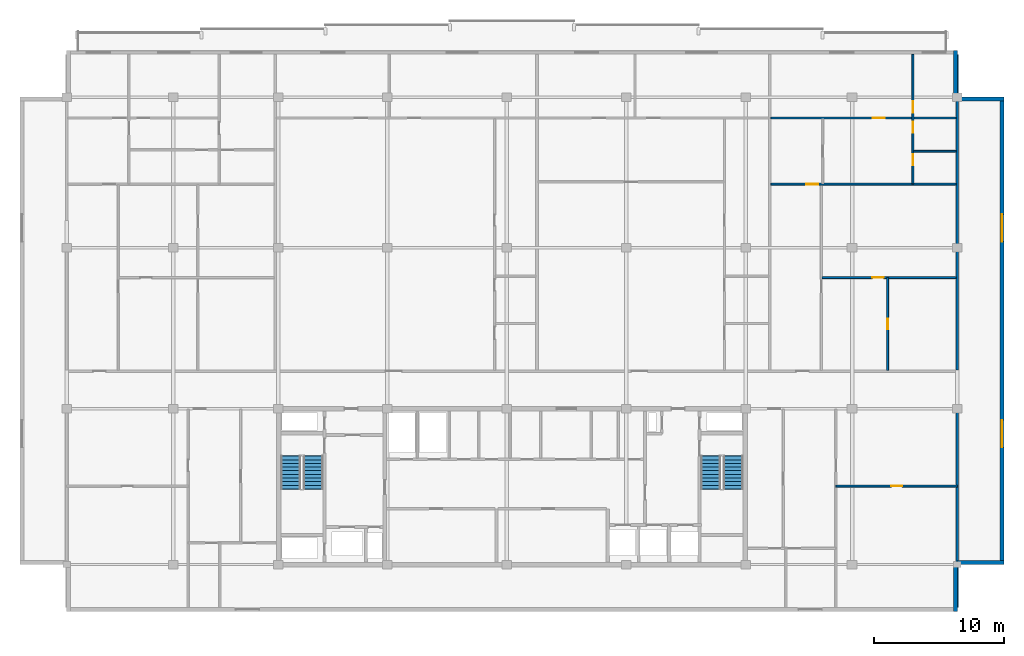
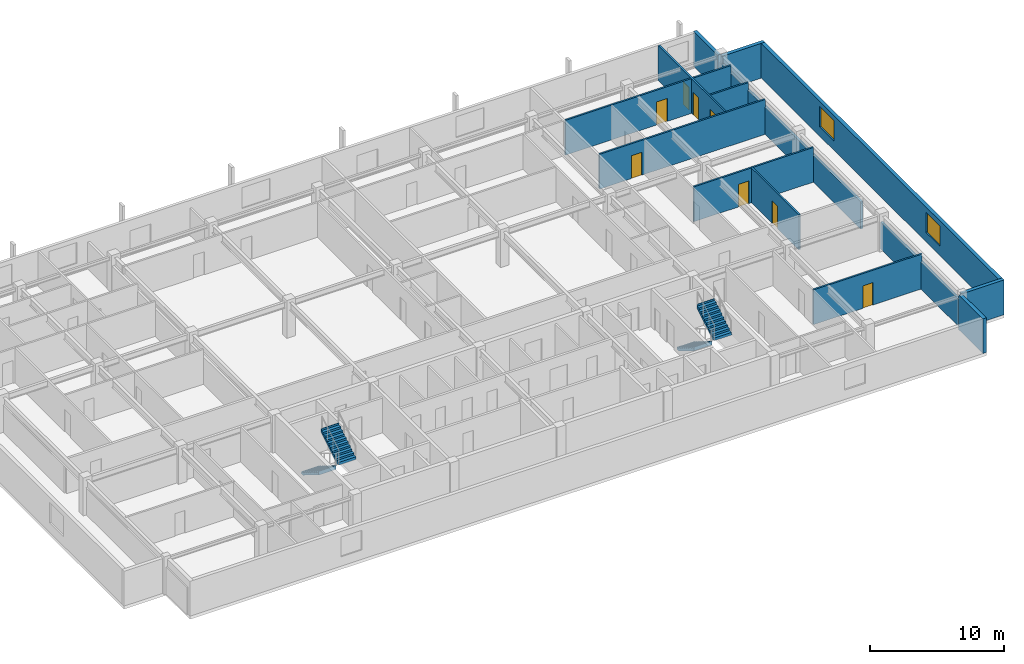
# One storey, part 8 of 10: 14 walls, 8 doors, 4 stair flights, 2 windows, 10 openings, 2 elements without a shape of their own.
"""IFC4 building model written with IfcOpenShell, lengths in metres."""

from ifc_helpers import new_model, si_unit, direction, frame, frame_2d, origin, place, context, subcontext, project, spatial, polyline, rectangle, outline, extrude, material, layer, layer_set, type_object, element, fill, aggregate, save


model = new_model("IFC4")

# Units and contexts
model_context = context("Model", 3, precision=1e-05, world=origin(), true_north=direction((0.0, 1.0)))
body_context = subcontext(model_context, "Body", "Model", "MODEL_VIEW")
ifc_project = project(units=[si_unit("LENGTHUNIT", "METRE"), si_unit("AREAUNIT", "SQUARE_METRE"), si_unit("VOLUMEUNIT", "CUBIC_METRE"), si_unit("PLANEANGLEUNIT", "RADIAN"), si_unit("MASSUNIT", "GRAM", prefix="KILO")], contexts=[model_context])

# Site, building, storey
site_placement = place(None, origin())
site = spatial("IfcSite", under=ifc_project, at=site_placement, CompositionType="ELEMENT")
building_placement = place(site_placement, origin())
building = spatial("IfcBuilding", under=site, at=building_placement, Name="Korimba Cascade Residences", CompositionType="ELEMENT")
storey_placement = place(building_placement, frame((0.0, 0.0, 242.449951171875)))
storey = spatial("IfcBuildingStorey", under=building, at=storey_placement, Name="L70", CompositionType="ELEMENT", Elevation=242.449951171875)

# Walls
ifc_material_1 = material(Name="Precast concrete C40/50", Category="concrete")
ifc_layer_1 = layer(ifc_material_1, 0.300048828125)
ifc_layer_set_1 = layer_set([ifc_layer_1], Name="Precast concrete C40/50")
wall_type_1 = type_object("IfcWallType", Name="EW-STONE-300", PredefinedType="STANDARD", material=ifc_layer_set_1)
wall_1_placement = place(storey_placement, frame((128.25, 51.60009765625, 0.0), z_axis=(0.0, 0.0, 1.0), x_axis=(0.0, 1.0, 0.0)))
element("IfcWall", 1, at=wall_1_placement, inside=storey, type_object=wall_type_1, Name="L70 T1 Perimeter Stone Wall E01", PredefinedType="STANDARD", context=body_context, shape_type="SweptSolid", body=[
    extrude(rectangle(XDim=3.599853515625, YDim=0.300048828125, at=frame_2d((1.7998046875, 0.0))), origin(), (0.0, 0.0, 1.0), 3.170166015625),
])
wall_2_placement = place(storey_placement, frame((128.39990234375, 55.35009765625, 0.0), z_axis=(0.0, 0.0, 1.0), x_axis=(1.0, 0.0, 0.0)))
element("IfcWall", 2, at=wall_2_placement, inside=storey, type_object=wall_type_1, Name="L70 T1 Perimeter Stone Wall E02", PredefinedType="STANDARD", context=body_context, shape_type="SweptSolid", body=[
    extrude(rectangle(XDim=3.60009765625, YDim=0.300048828125, at=frame_2d((1.800048828125, 0.0))), origin(), (0.0, 0.0, 1.0), 3.170166015625),
])

# Wall, openings, windows
wall_3_placement = place(storey_placement, frame((131.85009765625, 55.199951171875, 0.0), z_axis=(0.0, 0.0, 1.0), x_axis=(0.0, 1.0, 0.0)))
wall_3 = element("IfcWall", 3, at=wall_3_placement, inside=storey, type_object=wall_type_1, Name="L70 T1 Perimeter Stone Wall E03", PredefinedType="STANDARD", context=body_context, shape_type="SweptSolid", body=[
    extrude(rectangle(XDim=36.0, YDim=0.300048828125, at=frame_2d((18.0, 0.0))), origin(), (0.0, 0.0, 1.0), 3.170166015625),
])
opening_1_placement = place(wall_3_placement, frame((9.030029296875, 0.0, 0.85009765625)))
opening_1 = element("IfcOpeningElement", 4, at=opening_1_placement, cuts=wall_3, Name="Opening W-03", PredefinedType="OPENING", context=body_context, shape_type="SweptSolid", body=[
    extrude(rectangle(XDim=2.10009765625, YDim=1.85009765625, at=frame_2d((1.050048828125, 0.925048828125))), frame((0.0, 0.16015625, 0.0), z_axis=(0.0, -1.0, 0.0), x_axis=(1.0, 0.0, 0.0)), (0.0, 0.0, 1.0), 0.320068359375),
])
opening_2_placement = place(wall_3_placement, frame((24.8701171875, 0.0, 0.85009765625)))
opening_2 = element("IfcOpeningElement", 5, at=opening_2_placement, cuts=wall_3, Name="Opening W-03", PredefinedType="OPENING", context=body_context, shape_type="SweptSolid", body=[
    extrude(rectangle(XDim=2.10009765625, YDim=1.85009765625, at=frame_2d((1.050048828125, 0.925048828125))), frame((0.0, 0.16015625, 0.0), z_axis=(0.0, -1.0, 0.0), x_axis=(1.0, 0.0, 0.0)), (0.0, 0.0, 1.0), 0.320068359375),
])
ifc_material_2 = material(Name="Double-Glazed Aluminium Window", Category="aluminium")
window_type = type_object("IfcWindowType", Name="WIN-CRN-2100", PartitioningType="DOUBLE_PANEL_HORIZONTAL", PredefinedType="WINDOW", material=ifc_material_2)
window_1_placement = place(opening_1_placement, origin())
window_1 = element("IfcWindow", 6, at=window_1_placement, inside=storey, type_object=window_type, Name="L70 T1 End View Window 3.1", OverallHeight=1.85009765625, OverallWidth=2.10009765625, PartitioningType="DOUBLE_PANEL_HORIZONTAL", PredefinedType="WINDOW", context=body_context, shape_type="SweptSolid", body=[
    extrude(rectangle(XDim=2.10009765625, YDim=1.85009765625, at=frame_2d((1.050048828125, 0.925048828125))), frame((0.0, 0.030029296875, 0.0), z_axis=(0.0, -1.0, 0.0), x_axis=(1.0, 0.0, 0.0)), (0.0, 0.0, 1.0), 0.06005859375),
])
fill(opening_1, window_1)
window_2_placement = place(opening_2_placement, origin())
window_2 = element("IfcWindow", 7, at=window_2_placement, inside=storey, type_object=window_type, Name="L70 T1 End View Window 3.2", OverallHeight=1.85009765625, OverallWidth=2.10009765625, PartitioningType="DOUBLE_PANEL_HORIZONTAL", PredefinedType="WINDOW", context=body_context, shape_type="SweptSolid", body=[
    extrude(rectangle(XDim=2.10009765625, YDim=1.85009765625, at=frame_2d((1.050048828125, 0.925048828125))), frame((0.0, 0.030029296875, 0.0), z_axis=(0.0, -1.0, 0.0), x_axis=(1.0, 0.0, 0.0)), (0.0, 0.0, 1.0), 0.06005859375),
])
fill(opening_2, window_2)

# Walls
for number, where, z_axis, x_axis, name in (
    (8, (132.0, 91.050048828125, 0.0), (0.0, 0.0, 1.0), (-1.0, 0.0, 0.0), "L70 T1 Perimeter Stone Wall E04"),
    (9, (128.25, 91.199951171875, 0.0), (0.0, 0.0, 1.0), (0.0, 1.0, 0.0), "L70 T1 Perimeter Stone Wall E05"),
):
    element("IfcWall", number, at=place(storey_placement, frame(where, z_axis=z_axis, x_axis=x_axis)), inside=storey, type_object=wall_type_1, Name=name, PredefinedType="STANDARD", context=body_context, shape_type="SweptSolid", body=[
        extrude(rectangle(XDim=3.60009765625, YDim=0.300048828125, at=frame_2d((1.800048828125, 0.0))), origin(), (0.0, 0.0, 1.0), 3.170166015625),
    ])
ifc_layer_2 = layer(ifc_material_1, 0.199951171875)
ifc_layer_set_2 = layer_set([ifc_layer_2], Name="Precast concrete C40/50")
wall_type_2 = type_object("IfcWallType", Name="WAL-IT-200", PredefinedType="PARTITIONING", material=ifc_layer_set_2)
wall_4_placement = place(storey_placement, frame((128.39990234375, 51.89990234375, 0.0), z_axis=(0.0, 0.0, 1.0), x_axis=(0.0, 1.0, 0.0)))
element("IfcWall", 10, at=wall_4_placement, inside=storey, type_object=wall_type_2, Name="L70 Partition Wall WAL-L70-T1-FE-WR", PredefinedType="PARTITIONING", context=body_context, shape_type="SweptSolid", body=[
    extrude(rectangle(XDim=15.300048828125, YDim=0.199951171875, at=frame_2d((7.64990234375, 0.0))), origin(), (0.0, 0.0, 1.0), 2.47705078125),
])
wall_5_placement = place(storey_placement, frame((128.39990234375, 70.179931640625, 0.0), z_axis=(0.0, 0.0, 1.0), x_axis=(0.0, 1.0, 0.0)))
element("IfcWall", 11, at=wall_5_placement, inside=storey, type_object=wall_type_2, Name="L70 Partition Wall WAL-L70-T1-BNDWR", PredefinedType="PARTITIONING", context=body_context, shape_type="SweptSolid", body=[
    extrude(rectangle(XDim=24.320068359375, YDim=0.199951171875, at=frame_2d((12.16015625, 0.0))), origin(), (0.0, 0.0, 1.0), 2.47705078125),
])

# Wall, opening, door
ifc_material_3 = material(Name="Insulated Acoustic Stud Partition", Category="gypsum")
ifc_layer_3 = layer(ifc_material_3, 0.14990234375)
ifc_layer_set_3 = layer_set([ifc_layer_3], Name="Insulated Acoustic Stud Partition")
wall_type_3 = type_object("IfcWallType", Name="WAL-PART-150", PredefinedType="PARTITIONING", material=ifc_layer_set_3)
wall_6_placement = place(storey_placement, frame((119.050048828125, 61.25, 0.0), z_axis=(0.0, 0.0, 1.0), x_axis=(1.0, 0.0, 0.0)))
wall_6 = element("IfcWall", 12, at=wall_6_placement, inside=storey, type_object=wall_type_3, Name="L70 Partition Wall WAL-L70-T1-FE-STH", PredefinedType="PARTITIONING", context=body_context, shape_type="SweptSolid", body=[
    extrude(rectangle(XDim=9.349853515625, YDim=0.14990234375, at=frame_2d((4.6748046875, 0.0))), origin(), (0.0, 0.0, 1.0), 3.170166015625),
])
opening_3_placement = place(wall_6_placement, frame((4.2548828125, 0.0, 0.0)))
opening_3 = element("IfcOpeningElement", 13, at=opening_3_placement, cuts=wall_6, Name="Opening D-BT1", PredefinedType="OPENING", context=body_context, shape_type="SweptSolid", body=[
    extrude(rectangle(XDim=0.840087890625, YDim=2.0400390625, at=frame_2d((0.419921875, 1.02001953125))), frame((0.0, 0.0849609375, 0.0), z_axis=(0.0, -1.0, 0.0), x_axis=(1.0, 0.0, 0.0)), (0.0, 0.0, 1.0), 0.169921875),
])
ifc_material_4 = material(Name="Moisture-Resistant Bathroom Timber Door", Category="wood")
door_type_1 = type_object("IfcDoorType", Name="DR-INT-850", OperationType="NOTDEFINED", PredefinedType="DOOR", material=ifc_material_4)
door_1_placement = place(opening_3_placement, origin())
door_1 = element("IfcDoor", 14, at=door_1_placement, inside=storey, type_object=door_type_1, Name="L70-T1-FE Dressing Store Door", OperationType="SINGLE_SWING_RIGHT", OverallHeight=2.0400390625, OverallWidth=0.840087890625, PredefinedType="DOOR", context=body_context, shape_type="SweptSolid", body=[
    extrude(rectangle(XDim=0.840087890625, YDim=2.0400390625, at=frame_2d((0.419921875, 1.02001953125))), frame((0.0, 0.02490234375, 0.0), z_axis=(0.0, -1.0, 0.0), x_axis=(1.0, 0.0, 0.0)), (0.0, 0.0, 1.0), 0.050048828125),
])
fill(opening_3, door_1)

wall_7_placement = place(storey_placement, frame((123.039306640625, 70.159912109375, 0.0), z_axis=(0.0, 0.0, 1.0), x_axis=(0.0, 1.0, 0.0)))
wall_7 = element("IfcWall", 15, at=wall_7_placement, inside=storey, type_object=wall_type_3, Name="L70 Partition Wall WAL-L70-T1-U04-FMV", PredefinedType="PARTITIONING", context=body_context, shape_type="SweptSolid", body=[
    extrude(rectangle(XDim=7.150146484375, YDim=0.14990234375, at=frame_2d((3.5751953125, 0.0))), origin(), (0.0, 0.0, 1.0), 3.170166015625),
])
opening_4_placement = place(wall_7_placement, frame((3.155029296875, 0.0, 0.0)))
opening_4 = element("IfcOpeningElement", 16, at=opening_4_placement, cuts=wall_7, Name="Opening D-BT1", PredefinedType="OPENING", context=body_context, shape_type="SweptSolid", body=[
    extrude(rectangle(XDim=0.840087890625, YDim=2.0400390625, at=frame_2d((0.419921875, 1.02001953125))), frame((0.0, 0.0849609375, 0.0), z_axis=(0.0, -1.0, 0.0), x_axis=(1.0, 0.0, 0.0)), (0.0, 0.0, 1.0), 0.169921875),
])
door_2_placement = place(opening_4_placement, origin())
door_2 = element("IfcDoor", 17, at=door_2_placement, inside=storey, type_object=door_type_1, Name="L70-T1-U04 Wardrobe Door", OperationType="SINGLE_SWING_RIGHT", OverallHeight=2.0400390625, OverallWidth=0.840087890625, PredefinedType="DOOR", context=body_context, shape_type="SweptSolid", body=[
    extrude(rectangle(XDim=0.840087890625, YDim=2.0400390625, at=frame_2d((0.419921875, 1.02001953125))), frame((0.0, 0.02490234375, 0.0), z_axis=(0.0, -1.0, 0.0), x_axis=(1.0, 0.0, 0.0)), (0.0, 0.0, 1.0), 0.050048828125),
])
fill(opening_4, door_2)

wall_8_placement = place(storey_placement, frame((117.998779296875, 77.31005859375, 0.0), z_axis=(0.0, 0.0, 1.0), x_axis=(1.0, 0.0, 0.0)))
wall_8 = element("IfcWall", 18, at=wall_8_placement, inside=storey, type_object=wall_type_3, Name="L70 Partition Wall WAL-L70-T1-U04-FMH", PredefinedType="PARTITIONING", context=body_context, shape_type="SweptSolid", body=[
    extrude(rectangle(XDim=10.3212890625, YDim=0.14990234375, at=frame_2d((5.16064453125, 0.0))), origin(), (0.0, 0.0, 1.0), 3.170166015625),
])
opening_5_placement = place(wall_8_placement, frame((3.868896484375, 0.0, 0.0)))
opening_5 = element("IfcOpeningElement", 19, at=opening_5_placement, cuts=wall_8, Name="Opening D-IN2", PredefinedType="OPENING", context=body_context, shape_type="SweptSolid", body=[
    extrude(rectangle(XDim=0.8798828125, YDim=2.06005859375, at=frame_2d((0.43994140625, 1.030029296875))), frame((0.0, 0.0849609375, 0.0), z_axis=(0.0, -1.0, 0.0), x_axis=(1.0, 0.0, 0.0)), (0.0, 0.0, 1.0), 0.169921875),
])
ifc_material_5 = material(Name="Acoustic Timber Bedroom Door", Category="wood")
door_type_2 = type_object("IfcDoorType", Name="DR-INT-880", OperationType="NOTDEFINED", PredefinedType="DOOR", material=ifc_material_5)
door_3_placement = place(opening_5_placement, origin())
door_3 = element("IfcDoor", 20, at=door_3_placement, inside=storey, type_object=door_type_2, Name="L70-T1-U04 Library Salon Door", OperationType="SINGLE_SWING_LEFT", OverallHeight=2.06005859375, OverallWidth=0.8798828125, PredefinedType="DOOR", context=body_context, shape_type="SweptSolid", body=[
    extrude(rectangle(XDim=0.8798828125, YDim=2.06005859375, at=frame_2d((0.43994140625, 1.030029296875))), frame((0.0, 0.02490234375, 0.0), z_axis=(0.0, -1.0, 0.0), x_axis=(1.0, 0.0, 0.0)), (0.0, 0.0, 1.0), 0.050048828125),
])
fill(opening_5, door_3)

# Wall
wall_9_placement = place(storey_placement, frame((125.0400390625, 87.0400390625, 0.0), z_axis=(0.0, 0.0, 1.0), x_axis=(1.0, 0.0, 0.0)))
element("IfcWall", 21, at=wall_9_placement, inside=storey, type_object=wall_type_3, Name="L70 Partition Wall WAL-L70-T1-U04-BLDIV", PredefinedType="PARTITIONING", context=body_context, shape_type="SweptSolid", body=[
    extrude(rectangle(XDim=3.280029296875, YDim=0.14990234375, at=frame_2d((1.64013671875, 0.0))), origin(), (0.0, 0.0, 1.0), 3.170166015625),
])

# Wall, openings, doors
wall_10_placement = place(storey_placement, frame((124.97998046875, 84.5400390625, 0.0), z_axis=(0.0, 0.0, 1.0), x_axis=(0.0, 1.0, 0.0)))
wall_10 = element("IfcWall", 22, at=wall_10_placement, inside=storey, type_object=wall_type_3, Name="L70 Partition Wall WAL-L70-T1-U04-V1", PredefinedType="PARTITIONING", context=body_context, shape_type="SweptSolid", body=[
    extrude(rectangle(XDim=9.9599609375, YDim=0.14990234375, at=frame_2d((4.97998046875, 0.0))), origin(), (0.0, 0.0, 1.0), 3.170166015625),
])
opening_6_placement = place(wall_10_placement, frame((1.430419921875, 0.0, 0.0)))
opening_6 = element("IfcOpeningElement", 23, at=opening_6_placement, cuts=wall_10, Name="Opening D-BT1", PredefinedType="OPENING", context=body_context, shape_type="SweptSolid", body=[
    extrude(rectangle(XDim=0.840087890625, YDim=2.0400390625, at=frame_2d((0.419921875, 1.02001953125))), frame((0.0, 0.0849609375, 0.0), z_axis=(0.0, -1.0, 0.0), x_axis=(1.0, 0.0, 0.0)), (0.0, 0.0, 1.0), 0.169921875),
])
opening_7_placement = place(wall_10_placement, frame((3.919921875, 0.0, 0.0)))
opening_7 = element("IfcOpeningElement", 24, at=opening_7_placement, cuts=wall_10, Name="Opening D-BT1", PredefinedType="OPENING", context=body_context, shape_type="SweptSolid", body=[
    extrude(rectangle(XDim=0.840087890625, YDim=2.0400390625, at=frame_2d((0.419921875, 1.02001953125))), frame((0.0, 0.0849609375, 0.0), z_axis=(0.0, -1.0, 0.0), x_axis=(1.0, 0.0, 0.0)), (0.0, 0.0, 1.0), 0.169921875),
])
opening_8_placement = place(wall_10_placement, frame((5.47998046875, 0.0, 0.0)))
opening_8 = element("IfcOpeningElement", 25, at=opening_8_placement, cuts=wall_10, Name="Opening D-IN2", PredefinedType="OPENING", context=body_context, shape_type="SweptSolid", body=[
    extrude(rectangle(XDim=0.8798828125, YDim=2.06005859375, at=frame_2d((0.43994140625, 1.030029296875))), frame((0.0, 0.0849609375, 0.0), z_axis=(0.0, -1.0, 0.0), x_axis=(1.0, 0.0, 0.0)), (0.0, 0.0, 1.0), 0.169921875),
])
door_4_placement = place(opening_6_placement, origin())
door_4 = element("IfcDoor", 26, at=door_4_placement, inside=storey, type_object=door_type_1, Name="L70-T1-U04 Bathroom Door", OperationType="SINGLE_SWING_RIGHT", OverallHeight=2.0400390625, OverallWidth=0.840087890625, PredefinedType="DOOR", context=body_context, shape_type="SweptSolid", body=[
    extrude(rectangle(XDim=0.840087890625, YDim=2.0400390625, at=frame_2d((0.419921875, 1.02001953125))), frame((0.0, 0.02490234375, 0.0), z_axis=(0.0, -1.0, 0.0), x_axis=(1.0, 0.0, 0.0)), (0.0, 0.0, 1.0), 0.050048828125),
])
fill(opening_6, door_4)
door_5_placement = place(opening_7_placement, origin())
door_5 = element("IfcDoor", 27, at=door_5_placement, inside=storey, type_object=door_type_1, Name="L70-T1-U04 Laundry Door", OperationType="SINGLE_SWING_LEFT", OverallHeight=2.0400390625, OverallWidth=0.840087890625, PredefinedType="DOOR", context=body_context, shape_type="SweptSolid", body=[
    extrude(rectangle(XDim=0.840087890625, YDim=2.0400390625, at=frame_2d((0.419921875, 1.02001953125))), frame((0.0, 0.02490234375, 0.0), z_axis=(0.0, -1.0, 0.0), x_axis=(1.0, 0.0, 0.0)), (0.0, 0.0, 1.0), 0.050048828125),
])
fill(opening_7, door_5)
door_6_placement = place(opening_8_placement, origin())
door_6 = element("IfcDoor", 28, at=door_6_placement, inside=storey, type_object=door_type_2, Name="L70-T1-U04 Bedroom 1 Door", OperationType="SINGLE_SWING_RIGHT", OverallHeight=2.06005859375, OverallWidth=0.8798828125, PredefinedType="DOOR", context=body_context, shape_type="SweptSolid", body=[
    extrude(rectangle(XDim=0.8798828125, YDim=2.06005859375, at=frame_2d((0.43994140625, 1.030029296875))), frame((0.0, 0.02490234375, 0.0), z_axis=(0.0, -1.0, 0.0), x_axis=(1.0, 0.0, 0.0)), (0.0, 0.0, 1.0), 0.050048828125),
])
fill(opening_8, door_6)

# Wall, opening, door
wall_11_placement = place(storey_placement, frame((114.048828125, 84.5, 0.0), z_axis=(0.0, 0.0, 1.0), x_axis=(1.0, 0.0, 0.0)))
wall_11 = element("IfcWall", 29, at=wall_11_placement, inside=storey, type_object=wall_type_3, Name="L70 Partition Wall WAL-L70-T1-U04-MW", PredefinedType="PARTITIONING", context=body_context, shape_type="SweptSolid", body=[
    extrude(rectangle(XDim=14.271240234375, YDim=0.14990234375, at=frame_2d((7.1357421875, 0.0))), origin(), (0.0, 0.0, 1.0), 3.170166015625),
])
opening_9_placement = place(wall_11_placement, frame((2.719970703125, 0.0, 0.0)))
opening_9 = element("IfcOpeningElement", 30, at=opening_9_placement, cuts=wall_11, Name="Opening D-IN1", PredefinedType="OPENING", context=body_context, shape_type="SweptSolid", body=[
    extrude(rectangle(XDim=0.919921875, YDim=2.080078125, at=frame_2d((0.4599609375, 1.0400390625))), frame((0.0, 0.0849609375, 0.0), z_axis=(0.0, -1.0, 0.0), x_axis=(1.0, 0.0, 0.0)), (0.0, 0.0, 1.0), 0.169921875),
])
ifc_material_6 = material(Name="Acoustic Timber Living Door", Category="wood")
door_type_3 = type_object("IfcDoorType", Name="DR-INT-920", OperationType="NOTDEFINED", PredefinedType="DOOR", material=ifc_material_6)
door_7_placement = place(opening_9_placement, origin())
door_7 = element("IfcDoor", 31, at=door_7_placement, inside=storey, type_object=door_type_3, Name="L70-T1-U04 Kitchen Archway Door", OperationType="SINGLE_SWING_LEFT", OverallHeight=2.080078125, OverallWidth=0.919921875, PredefinedType="DOOR", context=body_context, shape_type="SweptSolid", body=[
    extrude(rectangle(XDim=0.919921875, YDim=2.080078125, at=frame_2d((0.4599609375, 1.0400390625))), frame((0.0, 0.02490234375, 0.0), z_axis=(0.0, -1.0, 0.0), x_axis=(1.0, 0.0, 0.0)), (0.0, 0.0, 1.0), 0.050048828125),
])
fill(opening_9, door_7)

wall_12_placement = place(storey_placement, frame((114.048828125, 89.60009765625, 0.0), z_axis=(0.0, 0.0, 1.0), x_axis=(1.0, 0.0, 0.0)))
wall_12 = element("IfcWall", 32, at=wall_12_placement, inside=storey, type_object=wall_type_3, Name="L70 Partition Wall WAL-L70-T1-U04-HZ", PredefinedType="PARTITIONING", context=body_context, shape_type="SweptSolid", body=[
    extrude(rectangle(XDim=14.271240234375, YDim=0.14990234375, at=frame_2d((7.1357421875, 0.0))), origin(), (0.0, 0.0, 1.0), 3.170166015625),
])
opening_10_placement = place(wall_12_placement, frame((7.843017578125, 0.0, 0.0)))
opening_10 = element("IfcOpeningElement", 33, at=opening_10_placement, cuts=wall_12, Name="Opening D-IN0", PredefinedType="OPENING", context=body_context, shape_type="SweptSolid", body=[
    extrude(rectangle(XDim=0.93994140625, YDim=2.10009765625, at=frame_2d((0.469970703125, 1.050048828125))), frame((0.0, 0.0849609375, 0.0), z_axis=(0.0, -1.0, 0.0), x_axis=(1.0, 0.0, 0.0)), (0.0, 0.0, 1.0), 0.169921875),
])
ifc_material_7 = material(Name="Acoustic Timber Living Archway Door", Category="wood")
door_type_4 = type_object("IfcDoorType", Name="DR-INT-950", OperationType="NOTDEFINED", PredefinedType="DOOR", material=ifc_material_7)
door_8_placement = place(opening_10_placement, origin())
door_8 = element("IfcDoor", 34, at=door_8_placement, inside=storey, type_object=door_type_4, Name="L70-T1-U04 Living Archway Door", OperationType="SINGLE_SWING_RIGHT", OverallHeight=2.10009765625, OverallWidth=0.93994140625, PredefinedType="DOOR", context=body_context, shape_type="SweptSolid", body=[
    extrude(rectangle(XDim=0.93994140625, YDim=2.10009765625, at=frame_2d((0.469970703125, 1.050048828125))), frame((0.0, 0.02490234375, 0.0), z_axis=(0.0, -1.0, 0.0), x_axis=(1.0, 0.0, 0.0)), (0.0, 0.0, 1.0), 0.050048828125),
])
fill(opening_10, door_8)

# Stair, stair flights
ifc_material_8 = material(Name="Concrete C50/60", Category="concrete")
stair_type_1 = type_object("IfcStairType", Name="STR-W1-20R-1725", PredefinedType="HALF_TURN_STAIR", material=ifc_material_8)
stair_1_placement = place(storey_placement, origin())
stair_1 = element("IfcStair", 35, at=stair_1_placement, inside=storey, type_object=stair_type_1, Name="L70 Tower 1 West Fire Stair ST-W1", PredefinedType="HALF_TURN_STAIR")
stair_flight_type = type_object("IfcStairFlightType", Name="STF-DL-20R-1725-1520", PredefinedType="STRAIGHT", material=ifc_material_8)
stair_flight_1_placement = place(storey_placement, frame((77.06005859375, 63.550048828125, 0.0), z_axis=(0.0, 0.0, 1.0), x_axis=(0.0, -1.0, 0.0)))
stair_flight_1 = element("IfcStairFlight", 36, at=stair_flight_1_placement, type_object=stair_flight_type, Name="ST-W1 flight 1", NumberOfRisers=10, NumberOfTreads=9, PredefinedType="STRAIGHT", RiserHeight=0.1725, TreadLength=0.28, context=body_context, shape_type="SweptSolid", body=[
    extrude(outline(polyline([(-0.0380859375, 0.0), (0.0, 0.172607421875), (0.280029296875, 0.172607421875), (0.280029296875, 0.344970703125), (0.56005859375, 0.344970703125), (0.56005859375, 0.517578125), (0.840087890625, 0.517578125), (0.840087890625, 0.68994140625), (1.1201171875, 0.68994140625), (1.1201171875, 0.862548828125), (1.39990234375, 0.862548828125), (1.39990234375, 1.034912109375), (1.679931640625, 1.034912109375), (1.679931640625, 1.20751953125), (1.9599609375, 1.20751953125), (1.9599609375, 1.3798828125), (2.239990234375, 1.3798828125), (2.239990234375, 1.552490234375), (2.52001953125, 1.552490234375), (2.52001953125, 1.72509765625), (2.55810546875, 1.72509765625), (2.55810546875, 1.37646484375), (0.285888671875, 0.0), (0.285888671875, -0.0380859375), (-0.0380859375, -0.0380859375), (-0.0380859375, 0.0)])), frame((0.0, 0.760009765625, 0.0), z_axis=(0.0, -1.0, 0.0), x_axis=(1.0, 0.0, 0.0)), (0.0, 0.0, 1.0), 1.52001953125),
])
stair_flight_2_placement = place(storey_placement, frame((78.780029296875, 61.030029296875, 1.72509765625), z_axis=(0.0, 0.0, 1.0), x_axis=(0.0, 1.0, 0.0)))
stair_flight_2 = element("IfcStairFlight", 37, at=stair_flight_2_placement, type_object=stair_flight_type, Name="ST-W1 flight 2", NumberOfRisers=10, NumberOfTreads=9, PredefinedType="STRAIGHT", RiserHeight=0.1725, TreadLength=0.28, context=body_context, shape_type="SweptSolid", body=[
    extrude(outline(polyline([(-0.0380859375, 0.0), (0.0, 0.172607421875), (0.280029296875, 0.172607421875), (0.280029296875, 0.344970703125), (0.56005859375, 0.344970703125), (0.56005859375, 0.517578125), (0.840087890625, 0.517578125), (0.840087890625, 0.68994140625), (1.1201171875, 0.68994140625), (1.1201171875, 0.862548828125), (1.39990234375, 0.862548828125), (1.39990234375, 1.034912109375), (1.679931640625, 1.034912109375), (1.679931640625, 1.20751953125), (1.9599609375, 1.20751953125), (1.9599609375, 1.3798828125), (2.239990234375, 1.3798828125), (2.239990234375, 1.552490234375), (2.52001953125, 1.552490234375), (2.52001953125, 1.72509765625), (2.55810546875, 1.72509765625), (2.55810546875, 1.37646484375), (0.285888671875, 0.0), (0.285888671875, -0.0380859375), (-0.0380859375, -0.0380859375), (-0.0380859375, 0.0)])), frame((0.0, 0.760009765625, 0.0), z_axis=(0.0, -1.0, 0.0), x_axis=(1.0, 0.0, 0.0)), (0.0, 0.0, 1.0), 1.52001953125),
])
aggregate(stair_1, [stair_flight_1, stair_flight_2])

stair_type_2 = type_object("IfcStairType", Name="STR-W2-20R-1725", PredefinedType="HALF_TURN_STAIR", material=ifc_material_8)
stair_2_placement = place(storey_placement, origin())
stair_2 = element("IfcStair", 38, at=stair_2_placement, inside=storey, type_object=stair_type_2, Name="L70 Tower 1 East Fire Stair ST-W2", PredefinedType="HALF_TURN_STAIR")
stair_flight_3_placement = place(storey_placement, frame((109.419921875, 63.550048828125, 0.0), z_axis=(0.0, 0.0, 1.0), x_axis=(0.0, -1.0, 0.0)))
stair_flight_3 = element("IfcStairFlight", 39, at=stair_flight_3_placement, type_object=stair_flight_type, Name="ST-W2 flight 1", NumberOfRisers=10, NumberOfTreads=9, PredefinedType="STRAIGHT", RiserHeight=0.1725, TreadLength=0.28, context=body_context, shape_type="SweptSolid", body=[
    extrude(outline(polyline([(-0.0380859375, 0.0), (0.0, 0.172607421875), (0.280029296875, 0.172607421875), (0.280029296875, 0.344970703125), (0.56005859375, 0.344970703125), (0.56005859375, 0.517578125), (0.840087890625, 0.517578125), (0.840087890625, 0.68994140625), (1.1201171875, 0.68994140625), (1.1201171875, 0.862548828125), (1.39990234375, 0.862548828125), (1.39990234375, 1.034912109375), (1.679931640625, 1.034912109375), (1.679931640625, 1.20751953125), (1.9599609375, 1.20751953125), (1.9599609375, 1.3798828125), (2.239990234375, 1.3798828125), (2.239990234375, 1.552490234375), (2.52001953125, 1.552490234375), (2.52001953125, 1.72509765625), (2.55810546875, 1.72509765625), (2.55810546875, 1.37646484375), (0.285888671875, 0.0), (0.285888671875, -0.0380859375), (-0.0380859375, -0.0380859375), (-0.0380859375, 0.0)])), frame((0.0, 0.760009765625, 0.0), z_axis=(0.0, -1.0, 0.0), x_axis=(1.0, 0.0, 0.0)), (0.0, 0.0, 1.0), 1.52001953125),
])
stair_flight_4_placement = place(storey_placement, frame((111.139892578125, 61.030029296875, 1.72509765625), z_axis=(0.0, 0.0, 1.0), x_axis=(0.0, 1.0, 0.0)))
stair_flight_4 = element("IfcStairFlight", 40, at=stair_flight_4_placement, type_object=stair_flight_type, Name="ST-W2 flight 2", NumberOfRisers=10, NumberOfTreads=9, PredefinedType="STRAIGHT", RiserHeight=0.1725, TreadLength=0.28, context=body_context, shape_type="SweptSolid", body=[
    extrude(outline(polyline([(-0.0380859375, 0.0), (0.0, 0.172607421875), (0.280029296875, 0.172607421875), (0.280029296875, 0.344970703125), (0.56005859375, 0.344970703125), (0.56005859375, 0.517578125), (0.840087890625, 0.517578125), (0.840087890625, 0.68994140625), (1.1201171875, 0.68994140625), (1.1201171875, 0.862548828125), (1.39990234375, 0.862548828125), (1.39990234375, 1.034912109375), (1.679931640625, 1.034912109375), (1.679931640625, 1.20751953125), (1.9599609375, 1.20751953125), (1.9599609375, 1.3798828125), (2.239990234375, 1.3798828125), (2.239990234375, 1.552490234375), (2.52001953125, 1.552490234375), (2.52001953125, 1.72509765625), (2.55810546875, 1.72509765625), (2.55810546875, 1.37646484375), (0.285888671875, 0.0), (0.285888671875, -0.0380859375), (-0.0380859375, -0.0380859375), (-0.0380859375, 0.0)])), frame((0.0, 0.760009765625, 0.0), z_axis=(0.0, -1.0, 0.0), x_axis=(1.0, 0.0, 0.0)), (0.0, 0.0, 1.0), 1.52001953125),
])
aggregate(stair_2, [stair_flight_3, stair_flight_4])

save(model, "model.ifc")
